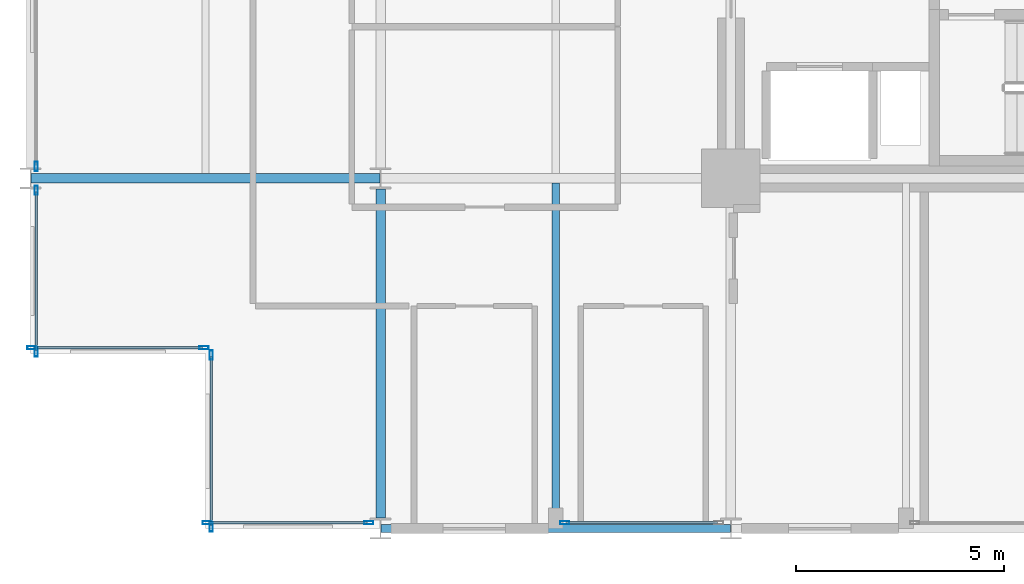
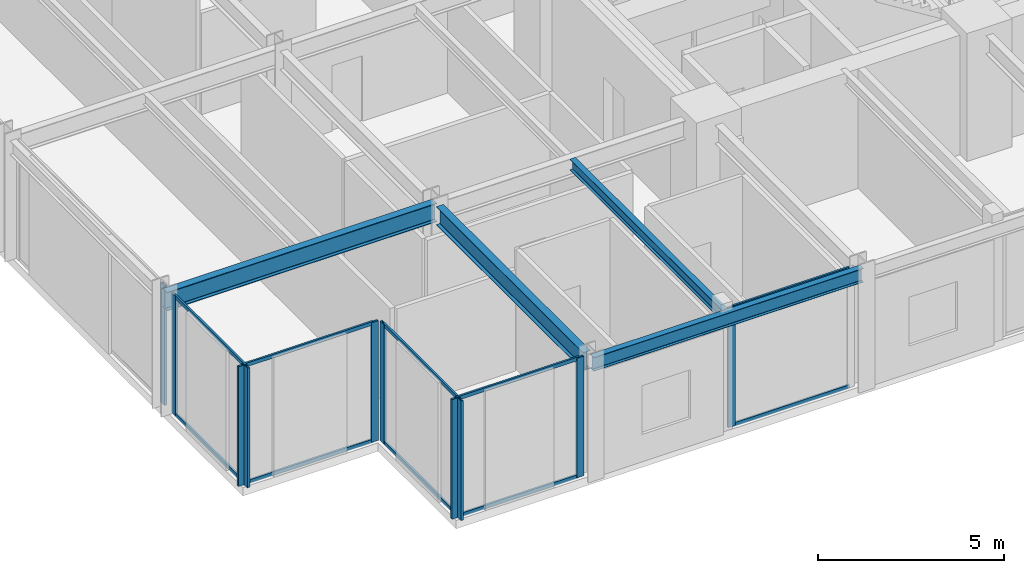
# One storey, part 4 of 26: 20 members, 4 beams, 6 elements without a shape of their own.
"""IFC4 building model written with IfcOpenShell, lengths in metres."""

from ifc_helpers import new_model, si_unit, direction, frame, origin, origin_2d, place, context, subcontext, project, spatial, hollow_rectangle, i_section, extrude, material, layer, layer_set, material_profile, profile_set, type_object, element, aggregate, save


model = new_model("IFC4")

# Units and contexts
model_context = context("Model", 3, precision=1e-05, world=origin(), true_north=direction((0.0, 1.0)))
body_context = subcontext(model_context, "Body", "Model", "MODEL_VIEW")
ifc_project = project(units=[si_unit("LENGTHUNIT", "METRE"), si_unit("AREAUNIT", "SQUARE_METRE"), si_unit("VOLUMEUNIT", "CUBIC_METRE"), si_unit("PLANEANGLEUNIT", "RADIAN"), si_unit("MASSUNIT", "GRAM", prefix="KILO")], contexts=[model_context])

# Site, building, storey
site_placement = place(None, origin())
site = spatial("IfcSite", under=ifc_project, at=site_placement, CompositionType="ELEMENT")
building_placement = place(site_placement, origin())
building = spatial("IfcBuilding", under=site, at=building_placement, Name="Nerrivon Quay Data Exchange", CompositionType="ELEMENT")
storey_placement = place(building_placement, frame((0.0, 0.0, 71.0)))
storey = spatial("IfcBuildingStorey", under=building, at=storey_placement, Name="L16", CompositionType="ELEMENT", Elevation=71.0)

# Beams
ifc_material_1 = material(Name="Steel Grade 350", Category="steel")
ifc_material_profile_1 = material_profile(ifc_material_1, i_section(OverallWidth=0.22900390625, OverallDepth=0.612060546875, WebThickness=0.011962890625, FlangeThickness=0.01953125, FilletRadius=0.013916015625, at=origin_2d()), Name="610UB125")
ifc_profile_set_1 = profile_set([ifc_material_profile_1], Name="Steel Grade 350")
beam_type_1 = type_object("IfcBeamType", Name="BM-G1-610UB125", PredefinedType="BEAM", material=ifc_profile_set_1)
beam_1_placement = place(storey_placement, frame((0.013916015625, 8.39990234375, 3.618896484375), z_axis=(1.0, 0.0, 0.0), x_axis=(0.0, 1.0, 0.0)))
element("IfcBeam", 1, at=beam_1_placement, inside=storey, type_object=beam_type_1, Name="L16 EW Girder Y=8.4 (0.0..8.4)", PredefinedType="BEAM", context=body_context, shape_type="SweptSolid", body=[
    extrude(i_section(OverallWidth=0.22900390625, OverallDepth=0.612060546875, WebThickness=0.011962890625, FlangeThickness=0.01953125, FilletRadius=0.013916015625, at=origin_2d()), origin(), (0.0, 0.0, 1.0), 8.3720703125),
])
ifc_material_profile_2 = material_profile(ifc_material_1, i_section(OverallWidth=0.22802734375, OverallDepth=0.60205078125, WebThickness=0.010498046875, FlangeThickness=0.014892578125, FilletRadius=0.013916015625, at=origin_2d()), Name="610UB101")
ifc_profile_set_2 = profile_set([ifc_material_profile_2], Name="Steel Grade 350")
beam_type_2 = type_object("IfcBeamType", Name="BM-G2-610UB101", PredefinedType="BEAM", material=ifc_profile_set_2)
beam_2_placement = place(storey_placement, frame((8.39990234375, 0.25, 3.6240234375), z_axis=(0.0, 1.0, 0.0), x_axis=(-1.0, 0.0, 0.0)))
element("IfcBeam", 2, at=beam_2_placement, inside=storey, type_object=beam_type_2, Name="L16 NS Girder X=8.4 (0.0..8.4)", PredefinedType="BEAM", context=body_context, shape_type="SweptSolid", body=[
    extrude(i_section(OverallWidth=0.22802734375, OverallDepth=0.60205078125, WebThickness=0.010498046875, FlangeThickness=0.014892578125, FilletRadius=0.013916015625, at=origin_2d()), origin(), (0.0, 0.0, 1.0), 7.89990234375),
])
ifc_material_profile_3 = material_profile(ifc_material_1, i_section(OverallWidth=0.172119140625, OverallDepth=0.35888671875, WebThickness=0.008056640625, FlangeThickness=0.012939453125, FilletRadius=0.011474609375, at=origin_2d()), Name="360UB56.7")
ifc_profile_set_3 = profile_set([ifc_material_profile_3], Name="Steel Grade 350")
beam_type_3 = type_object("IfcBeamType", Name="BM-J3-360UB57", PredefinedType="JOIST", material=ifc_profile_set_3)
beam_3_placement = place(storey_placement, frame((12.60009765625, 0.094970703125, 3.74560546875), z_axis=(0.0, 1.0, 0.0), x_axis=(-1.0, 0.0, 0.0)))
element("IfcBeam", 3, at=beam_3_placement, inside=storey, type_object=beam_type_3, Name="L16 Secondary Joist X=12.6 (0.0..8.4)", PredefinedType="JOIST", context=body_context, shape_type="SweptSolid", body=[
    extrude(i_section(OverallWidth=0.172119140625, OverallDepth=0.35888671875, WebThickness=0.008056640625, FlangeThickness=0.012939453125, FilletRadius=0.011474609375, at=origin_2d()), origin(), (0.0, 0.0, 1.0), 8.1904296875),
])
ifc_material_profile_4 = material_profile(ifc_material_1, i_section(OverallWidth=0.18994140625, OverallDepth=0.4541015625, WebThickness=0.008544921875, FlangeThickness=0.0126953125, FilletRadius=0.011474609375, at=origin_2d()), Name="460UB67.1")
ifc_profile_set_4 = profile_set([ifc_material_profile_4], Name="Steel Grade 350")
beam_type_4 = type_object("IfcBeamType", Name="BM-SP1-460UB67", PredefinedType="SPANDREL", material=ifc_profile_set_4)
beam_4_placement = place(storey_placement, frame((8.4140625, 0.0, 3.697998046875), z_axis=(1.0, 0.0, 0.0), x_axis=(0.0, 1.0, 0.0)))
element("IfcBeam", 4, at=beam_4_placement, inside=storey, type_object=beam_type_4, Name="L16 EW Girder Y=0.0 (8.4..16.8)", PredefinedType="SPANDREL", context=body_context, shape_type="SweptSolid", body=[
    extrude(i_section(OverallWidth=0.18994140625, OverallDepth=0.4541015625, WebThickness=0.008544921875, FlangeThickness=0.0126953125, FilletRadius=0.011474609375, at=origin_2d()), origin(), (0.0, 0.0, 1.0), 8.371826171875),
])

# Curtain wall, member
ifc_material_2 = material(Name="Anodised aluminium 6063-T6", Category="aluminium")
ifc_layer = layer(ifc_material_2, 0.219970703125)
ifc_layer_set = layer_set([ifc_layer], Name="Anodised aluminium 6063-T6")
curtain_wall_type = type_object("IfcCurtainWallType", Name="CW-SYS-01", PredefinedType="NOTDEFINED", material=ifc_layer_set)
curtain_wall_1_placement = place(storey_placement, origin())
curtain_wall_1 = element("IfcCurtainWall", 5, at=curtain_wall_1_placement, inside=storey, type_object=curtain_wall_type, Name="L16 Unitised Curtain Wall 12", PredefinedType="NOTDEFINED")
ifc_material_profile_5 = material_profile(ifc_material_2, hollow_rectangle(XDim=0.074951171875, YDim=0.219970703125, WallThickness=0.00390625, at=origin_2d()), Name="ALU-MULL-220x75")
ifc_profile_set_5 = profile_set([ifc_material_profile_5], Name="Anodised aluminium 6063-T6")
member_type_1 = type_object("IfcMemberType", Name="CWM-220x75", PredefinedType="MULLION", material=ifc_profile_set_5)
member_1_placement = place(storey_placement, frame((12.8125, 0.139892578125, 0.0), z_axis=(0.0, 0.0, 1.0), x_axis=(0.0, -1.0, 0.0)))
member_1 = element("IfcMember", 6, at=member_1_placement, type_object=member_type_1, Name="CW01 mullion 2", PredefinedType="MULLION", context=body_context, shape_type="SweptSolid", body=[
    extrude(hollow_rectangle(XDim=0.074951171875, YDim=0.219970703125, WallThickness=0.00390625, at=origin_2d()), origin(), (0.0, 0.0, 1.0), 3.925048828125),
])

# Curtain wall, members
curtain_wall_2_placement = place(storey_placement, origin())
curtain_wall_2 = element("IfcCurtainWall", 7, at=curtain_wall_2_placement, inside=storey, type_object=curtain_wall_type, Name="L16 Unitised Curtain Wall 14", PredefinedType="NOTDEFINED")
member_2_placement = place(storey_placement, frame((8.112548828125, 0.139892578125, 0.0), z_axis=(0.0, 0.0, 1.0), x_axis=(0.0, -1.0, 0.0)))
member_2 = element("IfcMember", 8, at=member_2_placement, type_object=member_type_1, Name="CW01 mullion 1", PredefinedType="MULLION", context=body_context, shape_type="SweptSolid", body=[
    extrude(hollow_rectangle(XDim=0.074951171875, YDim=0.219970703125, WallThickness=0.00390625, at=origin_2d()), origin(), (0.0, 0.0, 1.0), 3.925048828125),
])
member_3_placement = place(storey_placement, frame((4.237548828125, 0.139892578125, 0.0), z_axis=(0.0, 0.0, 1.0), x_axis=(0.0, -1.0, 0.0)))
member_3 = element("IfcMember", 9, at=member_3_placement, type_object=member_type_1, Name="CW01 mullion 2", PredefinedType="MULLION", context=body_context, shape_type="SweptSolid", body=[
    extrude(hollow_rectangle(XDim=0.074951171875, YDim=0.219970703125, WallThickness=0.00390625, at=origin_2d()), origin(), (0.0, 0.0, 1.0), 3.925048828125),
])

curtain_wall_3_placement = place(storey_placement, origin())
curtain_wall_3 = element("IfcCurtainWall", 10, at=curtain_wall_3_placement, inside=storey, type_object=curtain_wall_type, Name="L16 Unitised Curtain Wall 15", PredefinedType="NOTDEFINED")
member_4_placement = place(storey_placement, frame((4.340087890625, 0.03759765625, 0.0), z_axis=(0.0, 0.0, 1.0), x_axis=(-1.0, 0.0, 0.0)))
member_4 = element("IfcMember", 11, at=member_4_placement, type_object=member_type_1, Name="CW01 mullion 1", PredefinedType="MULLION", context=body_context, shape_type="SweptSolid", body=[
    extrude(hollow_rectangle(XDim=0.074951171875, YDim=0.219970703125, WallThickness=0.00390625, at=origin_2d()), origin(), (0.0, 0.0, 1.0), 3.925048828125),
])
member_5_placement = place(storey_placement, frame((4.340087890625, 4.16259765625, 0.0), z_axis=(0.0, 0.0, 1.0), x_axis=(-1.0, 0.0, 0.0)))
member_5 = element("IfcMember", 12, at=member_5_placement, type_object=member_type_1, Name="CW01 mullion 2", PredefinedType="MULLION", context=body_context, shape_type="SweptSolid", body=[
    extrude(hollow_rectangle(XDim=0.074951171875, YDim=0.219970703125, WallThickness=0.00390625, at=origin_2d()), origin(), (0.0, 0.0, 1.0), 3.925048828125),
])

curtain_wall_4_placement = place(storey_placement, origin())
curtain_wall_4 = element("IfcCurtainWall", 13, at=curtain_wall_4_placement, inside=storey, type_object=curtain_wall_type, Name="L16 Unitised Curtain Wall 16", PredefinedType="NOTDEFINED")
member_6_placement = place(storey_placement, frame((4.16259765625, 4.340087890625, 0.0), z_axis=(0.0, 0.0, 1.0), x_axis=(0.0, -1.0, 0.0)))
member_6 = element("IfcMember", 14, at=member_6_placement, type_object=member_type_1, Name="CW01 mullion 1", PredefinedType="MULLION", context=body_context, shape_type="SweptSolid", body=[
    extrude(hollow_rectangle(XDim=0.074951171875, YDim=0.219970703125, WallThickness=0.00390625, at=origin_2d()), origin(), (0.0, 0.0, 1.0), 3.925048828125),
])
member_7_placement = place(storey_placement, frame((0.03759765625, 4.340087890625, 0.0), z_axis=(0.0, 0.0, 1.0), x_axis=(0.0, -1.0, 0.0)))
member_7 = element("IfcMember", 15, at=member_7_placement, type_object=member_type_1, Name="CW01 mullion 2", PredefinedType="MULLION", context=body_context, shape_type="SweptSolid", body=[
    extrude(hollow_rectangle(XDim=0.074951171875, YDim=0.219970703125, WallThickness=0.00390625, at=origin_2d()), origin(), (0.0, 0.0, 1.0), 3.925048828125),
])

curtain_wall_5_placement = place(storey_placement, origin())
curtain_wall_5 = element("IfcCurtainWall", 16, at=curtain_wall_5_placement, inside=storey, type_object=curtain_wall_type, Name="L16 Unitised Curtain Wall 17", PredefinedType="NOTDEFINED")
member_8_placement = place(storey_placement, frame((0.139892578125, 4.237548828125, 0.0), z_axis=(0.0, 0.0, 1.0), x_axis=(-1.0, 0.0, 0.0)))
member_8 = element("IfcMember", 17, at=member_8_placement, type_object=member_type_1, Name="CW01 mullion 1", PredefinedType="MULLION", context=body_context, shape_type="SweptSolid", body=[
    extrude(hollow_rectangle(XDim=0.074951171875, YDim=0.219970703125, WallThickness=0.00390625, at=origin_2d()), origin(), (0.0, 0.0, 1.0), 3.925048828125),
])
member_9_placement = place(storey_placement, frame((0.139892578125, 8.112548828125, 0.0), z_axis=(0.0, 0.0, 1.0), x_axis=(-1.0, 0.0, 0.0)))
member_9 = element("IfcMember", 18, at=member_9_placement, type_object=member_type_1, Name="CW01 mullion 2", PredefinedType="MULLION", context=body_context, shape_type="SweptSolid", body=[
    extrude(hollow_rectangle(XDim=0.074951171875, YDim=0.219970703125, WallThickness=0.00390625, at=origin_2d()), origin(), (0.0, 0.0, 1.0), 3.925048828125),
])

# Curtain wall, member
curtain_wall_6_placement = place(storey_placement, origin())
curtain_wall_6 = element("IfcCurtainWall", 19, at=curtain_wall_6_placement, inside=storey, type_object=curtain_wall_type, Name="L16 Unitised Curtain Wall 18", PredefinedType="NOTDEFINED")
member_10_placement = place(storey_placement, frame((0.139892578125, 8.6875, 0.0), z_axis=(0.0, 0.0, 1.0), x_axis=(-1.0, 0.0, 0.0)))
member_10 = element("IfcMember", 20, at=member_10_placement, type_object=member_type_1, Name="CW01 mullion 1", PredefinedType="MULLION", context=body_context, shape_type="SweptSolid", body=[
    extrude(hollow_rectangle(XDim=0.074951171875, YDim=0.219970703125, WallThickness=0.00390625, at=origin_2d()), origin(), (0.0, 0.0, 1.0), 3.925048828125),
])
aggregate(curtain_wall_6, [member_10])

# Member
ifc_material_profile_6 = material_profile(ifc_material_2, hollow_rectangle(XDim=0.06005859375, YDim=0.1201171875, WallThickness=0.003173828125, at=origin_2d()), Name="ALU-TRAN-120x60")
ifc_profile_set_6 = profile_set([ifc_material_profile_6], Name="Anodised aluminium 6063-T6")
member_type_2 = type_object("IfcMemberType", Name="CWT-120x60", PredefinedType="USERDEFINED", material=ifc_profile_set_6)
member_11_placement = place(storey_placement, frame((16.47509765625, 0.139892578125, 0.032470703125), z_axis=(-1.0, 0.0, 0.0), x_axis=(0.0, -1.0, 0.0)))
member_11 = element("IfcMember", 21, at=member_11_placement, type_object=member_type_2, Name="CW01 transom 1.1", ObjectType="TRANSOM", PredefinedType="USERDEFINED", context=body_context, shape_type="SweptSolid", body=[
    extrude(hollow_rectangle(XDim=0.06005859375, YDim=0.1201171875, WallThickness=0.003173828125, at=origin_2d()), origin(), (0.0, 0.0, 1.0), 3.625),
])

member_12_placement = place(storey_placement, frame((16.47509765625, 0.139892578125, 3.892578125), z_axis=(-1.0, 0.0, 0.0), x_axis=(0.0, -1.0, 0.0)))
member_12 = element("IfcMember", 22, at=member_12_placement, type_object=member_type_2, Name="CW01 transom 1.2", ObjectType="TRANSOM", PredefinedType="USERDEFINED", context=body_context, shape_type="SweptSolid", body=[
    extrude(hollow_rectangle(XDim=0.06005859375, YDim=0.1201171875, WallThickness=0.003173828125, at=origin_2d()), origin(), (0.0, 0.0, 1.0), 3.625),
])

aggregate(curtain_wall_1, [member_1, member_11, member_12])

member_13_placement = place(storey_placement, frame((8.074951171875, 0.139892578125, 0.032470703125), z_axis=(-1.0, 0.0, 0.0), x_axis=(0.0, -1.0, 0.0)))
member_13 = element("IfcMember", 23, at=member_13_placement, type_object=member_type_2, Name="CW01 transom 1.1", ObjectType="TRANSOM", PredefinedType="USERDEFINED", context=body_context, shape_type="SweptSolid", body=[
    extrude(hollow_rectangle(XDim=0.06005859375, YDim=0.1201171875, WallThickness=0.003173828125, at=origin_2d()), origin(), (0.0, 0.0, 1.0), 3.800048828125),
])

member_14_placement = place(storey_placement, frame((8.074951171875, 0.139892578125, 3.892578125), z_axis=(-1.0, 0.0, 0.0), x_axis=(0.0, -1.0, 0.0)))
member_14 = element("IfcMember", 24, at=member_14_placement, type_object=member_type_2, Name="CW01 transom 1.2", ObjectType="TRANSOM", PredefinedType="USERDEFINED", context=body_context, shape_type="SweptSolid", body=[
    extrude(hollow_rectangle(XDim=0.06005859375, YDim=0.1201171875, WallThickness=0.003173828125, at=origin_2d()), origin(), (0.0, 0.0, 1.0), 3.800048828125),
])

aggregate(curtain_wall_2, [member_2, member_3, member_13, member_14])

member_15_placement = place(storey_placement, frame((4.340087890625, 0.074951171875, 0.032470703125), z_axis=(0.0, 1.0, 0.0), x_axis=(-1.0, 0.0, 0.0)))
member_15 = element("IfcMember", 25, at=member_15_placement, type_object=member_type_2, Name="CW01 transom 1.1", ObjectType="TRANSOM", PredefinedType="USERDEFINED", context=body_context, shape_type="SweptSolid", body=[
    extrude(hollow_rectangle(XDim=0.06005859375, YDim=0.1201171875, WallThickness=0.003173828125, at=origin_2d()), origin(), (0.0, 0.0, 1.0), 4.050048828125),
])

member_16_placement = place(storey_placement, frame((4.340087890625, 0.074951171875, 3.892578125), z_axis=(0.0, 1.0, 0.0), x_axis=(-1.0, 0.0, 0.0)))
member_16 = element("IfcMember", 26, at=member_16_placement, type_object=member_type_2, Name="CW01 transom 1.2", ObjectType="TRANSOM", PredefinedType="USERDEFINED", context=body_context, shape_type="SweptSolid", body=[
    extrude(hollow_rectangle(XDim=0.06005859375, YDim=0.1201171875, WallThickness=0.003173828125, at=origin_2d()), origin(), (0.0, 0.0, 1.0), 4.050048828125),
])

aggregate(curtain_wall_3, [member_4, member_5, member_15, member_16])

member_17_placement = place(storey_placement, frame((4.125, 4.340087890625, 0.032470703125), z_axis=(-1.0, 0.0, 0.0), x_axis=(0.0, -1.0, 0.0)))
member_17 = element("IfcMember", 27, at=member_17_placement, type_object=member_type_2, Name="CW01 transom 1.1", ObjectType="TRANSOM", PredefinedType="USERDEFINED", context=body_context, shape_type="SweptSolid", body=[
    extrude(hollow_rectangle(XDim=0.06005859375, YDim=0.1201171875, WallThickness=0.003173828125, at=origin_2d()), origin(), (0.0, 0.0, 1.0), 4.050048828125),
])

member_18_placement = place(storey_placement, frame((4.125, 4.340087890625, 3.892578125), z_axis=(-1.0, 0.0, 0.0), x_axis=(0.0, -1.0, 0.0)))
member_18 = element("IfcMember", 28, at=member_18_placement, type_object=member_type_2, Name="CW01 transom 1.2", ObjectType="TRANSOM", PredefinedType="USERDEFINED", context=body_context, shape_type="SweptSolid", body=[
    extrude(hollow_rectangle(XDim=0.06005859375, YDim=0.1201171875, WallThickness=0.003173828125, at=origin_2d()), origin(), (0.0, 0.0, 1.0), 4.050048828125),
])

aggregate(curtain_wall_4, [member_6, member_7, member_17, member_18])

member_19_placement = place(storey_placement, frame((0.139892578125, 4.27490234375, 0.032470703125), z_axis=(0.0, 1.0, 0.0), x_axis=(-1.0, 0.0, 0.0)))
member_19 = element("IfcMember", 29, at=member_19_placement, type_object=member_type_2, Name="CW01 transom 1.1", ObjectType="TRANSOM", PredefinedType="USERDEFINED", context=body_context, shape_type="SweptSolid", body=[
    extrude(hollow_rectangle(XDim=0.06005859375, YDim=0.1201171875, WallThickness=0.003173828125, at=origin_2d()), origin(), (0.0, 0.0, 1.0), 3.800048828125),
])

member_20_placement = place(storey_placement, frame((0.139892578125, 4.27490234375, 3.892578125), z_axis=(0.0, 1.0, 0.0), x_axis=(-1.0, 0.0, 0.0)))
member_20 = element("IfcMember", 30, at=member_20_placement, type_object=member_type_2, Name="CW01 transom 1.2", ObjectType="TRANSOM", PredefinedType="USERDEFINED", context=body_context, shape_type="SweptSolid", body=[
    extrude(hollow_rectangle(XDim=0.06005859375, YDim=0.1201171875, WallThickness=0.003173828125, at=origin_2d()), origin(), (0.0, 0.0, 1.0), 3.800048828125),
])

aggregate(curtain_wall_5, [member_8, member_9, member_19, member_20])

save(model, "model.ifc")
